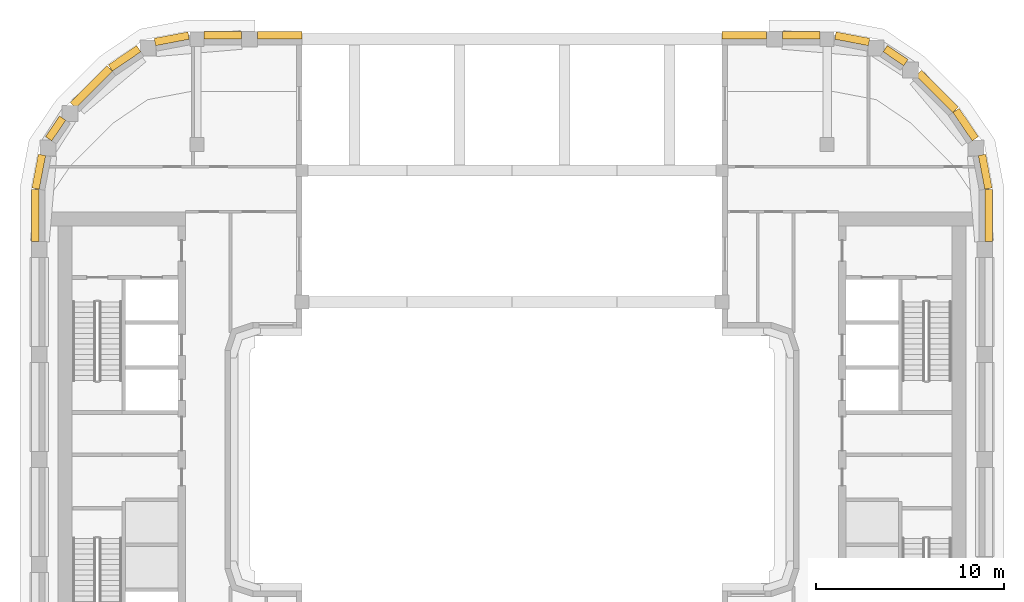
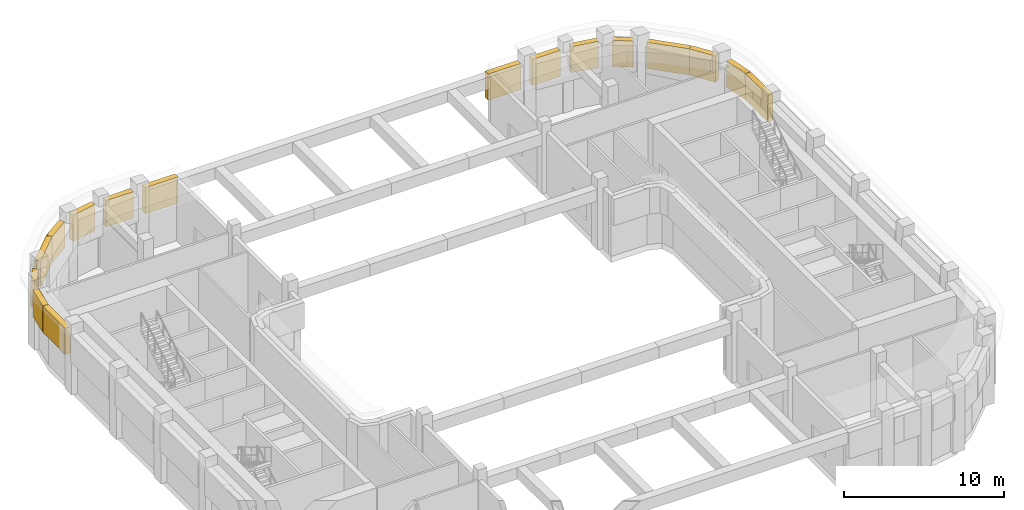
# One storey, part 13 of 13: 16 coverings.
"""IFC4 building model written with IfcOpenShell, lengths in metres."""

from ifc_helpers import new_model, si_unit, direction, frame, origin, origin_2d, place, context, subcontext, project, spatial, rectangle, extrude, material, type_object, element, save


model = new_model("IFC4")

# Units and contexts
model_context = context("Model", 3, precision=1e-05, world=origin(), true_north=direction((0.0, 1.0)))
body_context = subcontext(model_context, "Body", "Model", "MODEL_VIEW")
ifc_project = project(units=[si_unit("LENGTHUNIT", "METRE"), si_unit("AREAUNIT", "SQUARE_METRE"), si_unit("VOLUMEUNIT", "CUBIC_METRE"), si_unit("PLANEANGLEUNIT", "RADIAN"), si_unit("MASSUNIT", "GRAM", prefix="KILO")], contexts=[model_context])

# Site, building, storey
site_placement = place(None, origin())
site = spatial("IfcSite", under=ifc_project, at=site_placement, CompositionType="ELEMENT")
building_placement = place(site_placement, origin())
building = spatial("IfcBuilding", under=site, at=building_placement, Name="Kiln Ring Residences", CompositionType="ELEMENT")
storey_placement = place(building_placement, frame((0.0, 0.0, 236.300048828125)))
storey = spatial("IfcBuildingStorey", under=building, at=storey_placement, Name="L61", CompositionType="ELEMENT", Elevation=236.300048828125)

# Coverings
ifc_material = material(Name="Concrete C35/45, exposed aggregate finish", Category="concrete")
covering_type = type_object("IfcCoveringType", Name="TIE BAND 2000 x 400", PredefinedType="CLADDING", material=ifc_material)
covering_1_placement = place(storey_placement, frame((-12.387451171875, 22.60009765625, 2.599853515625), z_axis=(0.0, 0.0, 1.0), x_axis=(-1.0, 0.0, 0.0)))
element("IfcCovering", 1, at=covering_1_placement, inside=storey, type_object=covering_type, Name="TIE BAND L61", PredefinedType="CLADDING", context=body_context, shape_type="SweptSolid", body=[
    extrude(rectangle(XDim=2.375, YDim=0.39990234375, at=origin_2d()), origin(), (0.0, 0.0, 1.0), 2.0),
])
covering_2_placement = place(storey_placement, frame((-15.425048828125, 22.60009765625, 2.599853515625), z_axis=(0.0, 0.0, 1.0), x_axis=(-1.0, 0.0, 0.0)))
element("IfcCovering", 2, at=covering_2_placement, inside=storey, type_object=covering_type, Name="TIE BAND L61", PredefinedType="CLADDING", context=body_context, shape_type="SweptSolid", body=[
    extrude(rectangle(XDim=2.0, YDim=0.39990234375, at=origin_2d()), origin(), (0.0, 0.0, 1.0), 2.0),
])
for number, where, z_axis, x_axis, name in (
    (3, (-18.13671875, 22.4248046875, 2.599853515625), (0.0, 0.0, 1.0), (-0.98229025778, -0.187365550382, 0.0), "TIE BAND L61"),
    (4, (-20.65234375, 21.383056640625, 2.599853515625), (0.0, 0.0, 1.0), (-0.827071553606, -0.562096651134, 0.0), "TIE BAND L61"),
):
    element("IfcCovering", number, at=place(storey_placement, frame(where, z_axis=z_axis, x_axis=x_axis)), inside=storey, type_object=covering_type, Name=name, PredefinedType="CLADDING", context=body_context, shape_type="SweptSolid", body=[
        extrude(rectangle(XDim=1.8310546875, YDim=0.39990234375, at=origin_2d()), origin(), (0.0, 0.0, 1.0), 2.0),
    ])
covering_3_placement = place(storey_placement, frame((-22.419677734375, 19.86328125, 2.599853515625), z_axis=(0.0, 0.0, 1.0), x_axis=(-0.707106781187, -0.707106781187, 0.0)))
element("IfcCovering", 5, at=covering_3_placement, inside=storey, type_object=covering_type, Name="TIE BAND L61", PredefinedType="CLADDING", context=body_context, shape_type="SweptSolid", body=[
    extrude(rectangle(XDim=2.77490234375, YDim=0.39990234375, at=origin_2d()), origin(), (0.0, 0.0, 1.0), 2.0),
])
covering_4_placement = place(storey_placement, frame((-24.32470703125, 17.643798828125, 2.599853515625), z_axis=(0.0, 0.0, 1.0), x_axis=(-0.562096651134, -0.827071553606, 0.0)))
element("IfcCovering", 6, at=covering_4_placement, inside=storey, type_object=covering_type, Name="TIE BAND L61", PredefinedType="CLADDING", context=body_context, shape_type="SweptSolid", body=[
    extrude(rectangle(XDim=1.3271484375, YDim=0.39990234375, at=origin_2d()), origin(), (0.0, 0.0, 1.0), 2.0),
])
covering_5_placement = place(storey_placement, frame((-25.224853515625, 15.3369140625, 2.599853515625), z_axis=(0.0, 0.0, 1.0), x_axis=(-0.187365550382, -0.98229025778, 0.0)))
element("IfcCovering", 7, at=covering_5_placement, inside=storey, type_object=covering_type, Name="TIE BAND L61", PredefinedType="CLADDING", context=body_context, shape_type="SweptSolid", body=[
    extrude(rectangle(XDim=1.8310546875, YDim=0.39990234375, at=origin_2d()), origin(), (0.0, 0.0, 1.0), 2.0),
])
for number, where, z_axis, x_axis, name in (
    (8, (-25.39990234375, 13.012451171875, 2.599853515625), (0.0, 0.0, 1.0), (0.0, -1.0, 0.0), "TIE BAND L61"),
    (9, (25.39990234375, 13.012451171875, 2.599853515625), (0.0, 0.0, 1.0), (0.0, 1.0, 0.0), "TIE BAND L61"),
):
    element("IfcCovering", number, at=place(storey_placement, frame(where, z_axis=z_axis, x_axis=x_axis)), inside=storey, type_object=covering_type, Name=name, PredefinedType="CLADDING", context=body_context, shape_type="SweptSolid", body=[
        extrude(rectangle(XDim=2.77490234375, YDim=0.39990234375, at=origin_2d()), origin(), (0.0, 0.0, 1.0), 2.0),
    ])
for number, where, z_axis, x_axis, name in (
    (10, (25.224853515625, 15.3369140625, 2.599853515625), (0.0, 0.0, 1.0), (-0.187365550382, 0.98229025778, 0.0), "TIE BAND L61"),
    (11, (24.182861328125, 17.852294921875, 2.599853515625), (0.0, 0.0, 1.0), (-0.562096651134, 0.827071553606, 0.0), "TIE BAND L61"),
):
    element("IfcCovering", number, at=place(storey_placement, frame(where, z_axis=z_axis, x_axis=x_axis)), inside=storey, type_object=covering_type, Name=name, PredefinedType="CLADDING", context=body_context, shape_type="SweptSolid", body=[
        extrude(rectangle(XDim=1.8310546875, YDim=0.39990234375, at=origin_2d()), origin(), (0.0, 0.0, 1.0), 2.0),
    ])
covering_6_placement = place(storey_placement, frame((22.663330078125, 19.61962890625, 2.599853515625), z_axis=(0.0, 0.0, 1.0), x_axis=(-0.707106781187, 0.707106781187, 0.0)))
element("IfcCovering", 12, at=covering_6_placement, inside=storey, type_object=covering_type, Name="TIE BAND L61", PredefinedType="CLADDING", context=body_context, shape_type="SweptSolid", body=[
    extrude(rectangle(XDim=2.77490234375, YDim=0.39990234375, at=origin_2d()), origin(), (0.0, 0.0, 1.0), 2.0),
])
covering_7_placement = place(storey_placement, frame((20.44384765625, 21.524658203125, 2.599853515625), z_axis=(0.0, 0.0, 1.0), x_axis=(-0.827071553606, 0.562096651134, 0.0)))
element("IfcCovering", 13, at=covering_7_placement, inside=storey, type_object=covering_type, Name="TIE BAND L61", PredefinedType="CLADDING", context=body_context, shape_type="SweptSolid", body=[
    extrude(rectangle(XDim=1.3271484375, YDim=0.39990234375, at=origin_2d()), origin(), (0.0, 0.0, 1.0), 2.0),
])
covering_8_placement = place(storey_placement, frame((18.13671875, 22.4248046875, 2.599853515625), z_axis=(0.0, 0.0, 1.0), x_axis=(-0.98229025778, 0.187365550382, 0.0)))
element("IfcCovering", 14, at=covering_8_placement, inside=storey, type_object=covering_type, Name="TIE BAND L61", PredefinedType="CLADDING", context=body_context, shape_type="SweptSolid", body=[
    extrude(rectangle(XDim=1.8310546875, YDim=0.39990234375, at=origin_2d()), origin(), (0.0, 0.0, 1.0), 2.0),
])
covering_9_placement = place(storey_placement, frame((15.425048828125, 22.60009765625, 2.599853515625), z_axis=(0.0, 0.0, 1.0), x_axis=(-1.0, 0.0, 0.0)))
element("IfcCovering", 15, at=covering_9_placement, inside=storey, type_object=covering_type, Name="TIE BAND L61", PredefinedType="CLADDING", context=body_context, shape_type="SweptSolid", body=[
    extrude(rectangle(XDim=2.0, YDim=0.39990234375, at=origin_2d()), origin(), (0.0, 0.0, 1.0), 2.0),
])
covering_10_placement = place(storey_placement, frame((12.387451171875, 22.60009765625, 2.599853515625), z_axis=(0.0, 0.0, 1.0), x_axis=(-1.0, 0.0, 0.0)))
element("IfcCovering", 16, at=covering_10_placement, inside=storey, type_object=covering_type, Name="TIE BAND L61", PredefinedType="CLADDING", context=body_context, shape_type="SweptSolid", body=[
    extrude(rectangle(XDim=2.375, YDim=0.39990234375, at=origin_2d()), origin(), (0.0, 0.0, 1.0), 2.0),
])

save(model, "model.ifc")
